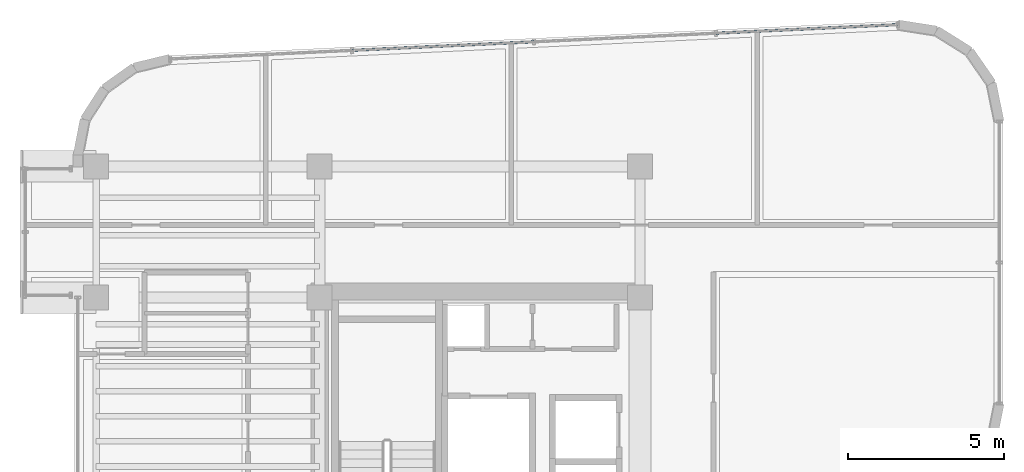
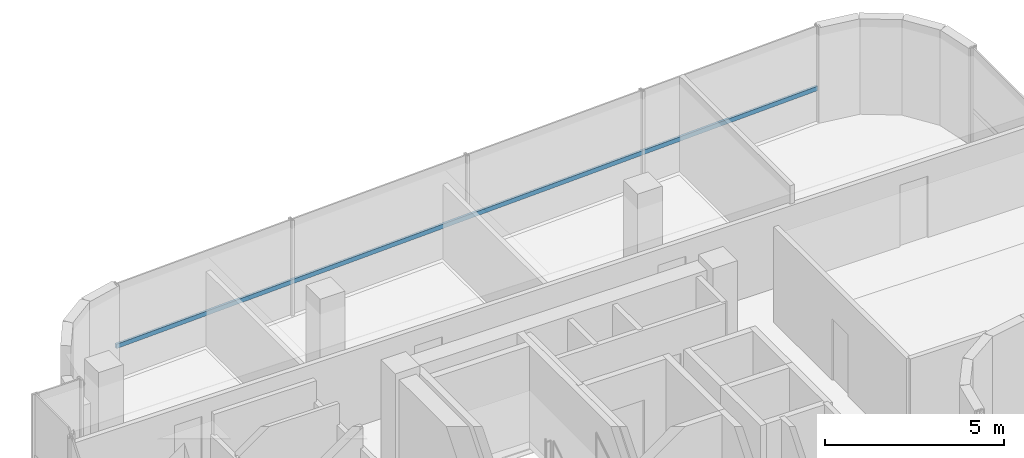
# One storey, part 13 of 21: 1 member, 1 element without a shape of its own.
"""IFC4 building model written with IfcOpenShell, lengths in metres."""

import ifcopenshell
import ifcopenshell.guid

model = None  # the IFC model being written
_history = None  # IfcOwnerHistory: only IFC2X3 demands one
_inside = {}  # id of a spatial element -> (the spatial element, [elements in it])
_under = {}  # id of a project, library or spatial element -> (it, [spatial elements below it])
_declared = {}  # id of a project -> (the project, [libraries it declares])
_typed = {}  # id of a type object -> (the type object, [elements of that type])
_made_of = {}  # id of a material, layer set ... -> (it, [elements and type objects made of it])


def new_model(schema):
    """Start an empty IFC model of exactly this schema.

    Asked for "IFC4X3", IfcOpenShell would pick the latest addendum, in which some entities
    have other attributes; the version numbers below select the first issue.
    IFC2X3 requires an IfcOwnerHistory on every rooted entity: one is made here for all.
    """
    global model, _history
    if schema == "IFC4X3":
        model = ifcopenshell.file(schema_version=(4, 3, 0, 0))
    else:
        model = ifcopenshell.file(schema=schema)
    _inside.clear()
    _under.clear()
    _declared.clear()
    _typed.clear()
    _made_of.clear()
    _history = None
    if model.schema == "IFC2X3":
        org = make("IfcOrganization", Name="unknown")
        user = make(
            "IfcPersonAndOrganization",
            ThePerson=make("IfcPerson", FamilyName="unknown"),
            TheOrganization=org,
        )
        app = make(
            "IfcApplication",
            ApplicationDeveloper=org,
            Version="unknown",
            ApplicationFullName="unknown",
            ApplicationIdentifier="unknown",
        )
        _history = make(
            "IfcOwnerHistory",
            OwningUser=user,
            OwningApplication=app,
            ChangeAction="ADDED",
            CreationDate=0,
        )
    return model


def make(cls, **values):
    """One entity of the class cls with the attributes given. An attribute that is None is left unset."""
    return model.create_entity(
        cls, **{name: value for name, value in values.items() if value is not None}
    )


def rooted(cls, **values):
    """An entity with a GlobalId (a new one), such as an element, a storey or a relation."""
    return make(cls, GlobalId=ifcopenshell.guid.new(), OwnerHistory=_history, **values)


def si_unit(unit_type, name, prefix=None):
    """IfcSIUnit, for example si_unit("LENGTHUNIT", "METRE", prefix="MILLI")."""
    return make("IfcSIUnit", UnitType=unit_type, Prefix=prefix, Name=name)


def assignment(units):
    """IfcUnitAssignment: the units of a project."""
    return None if units is None else make("IfcUnitAssignment", Units=units)


def point(xyz):
    """IfcCartesianPoint."""
    return None if xyz is None else make("IfcCartesianPoint", Coordinates=xyz)


def direction(xyz):
    """IfcDirection."""
    return None if xyz is None else make("IfcDirection", DirectionRatios=xyz)


def frame(location, z_axis=None, x_axis=None):
    """IfcAxis2Placement3D, a coordinate frame: its origin and axes. An axis left out is left unset."""
    return make(
        "IfcAxis2Placement3D",
        Location=point(location),
        Axis=direction(z_axis),
        RefDirection=direction(x_axis),
    )


def frame_2d(location, x_axis=None):
    """IfcAxis2Placement2D, a coordinate frame in the plane: its origin and x axis."""
    return make(
        "IfcAxis2Placement2D", Location=point(location), RefDirection=direction(x_axis)
    )


def origin():
    """The frame at (0, 0, 0) with its axes left unset."""
    return frame((0.0, 0.0, 0.0))


def origin_2d():
    """The frame at (0, 0) in the plane with its x axis left unset."""
    return frame_2d((0.0, 0.0))


def place(relative_to, where):
    """IfcLocalPlacement: puts the frame where relative to a parent placement (None: the world)."""
    return make(
        "IfcLocalPlacement", PlacementRelTo=relative_to, RelativePlacement=where
    )


def context(
    kind, dimensions, precision=None, world=None, true_north=None, identifier=None
):
    """IfcGeometricRepresentationContext, for example the 3D "Model" context."""
    return make(
        "IfcGeometricRepresentationContext",
        ContextIdentifier=identifier,
        ContextType=kind,
        CoordinateSpaceDimension=dimensions,
        Precision=precision,
        WorldCoordinateSystem=world,
        TrueNorth=true_north,
    )


def subcontext(parent, identifier, kind, view, scale=None):
    """IfcGeometricRepresentationSubContext, for example "Body" below "Model"."""
    return make(
        "IfcGeometricRepresentationSubContext",
        ContextIdentifier=identifier,
        ContextType=kind,
        ParentContext=parent,
        TargetScale=scale,
        TargetView=view,
    )


def project(units=None, contexts=None):
    """IfcProject with its units and contexts."""
    return rooted(
        "IfcProject",
        Name="project",
        RepresentationContexts=contexts,
        UnitsInContext=assignment(units),
    )


def spatial(cls, under=None, at=None, **own):
    """A site, building, storey or space (cls), placed at a placement, below another one or the project."""
    s = rooted(cls, ObjectPlacement=at, **own)
    if under is not None:
        _under.setdefault(under.id(), (under, []))[1].append(s)
    return s


def profile(cls, at=None, kind="AREA", **sizes):
    """A parametric profile (cls). Its sizes go by their IFC names, for example OverallWidth=200.0."""
    return make(cls, ProfileType=kind, Position=at, **sizes)


def hollow_rectangle(**sizes):
    """IfcRectangleHollowProfileDef."""
    return profile("IfcRectangleHollowProfileDef", **sizes)


def extrude(swept, where, along, depth):
    """IfcExtrudedAreaSolid: the profile swept, set in the frame where, extruded along a direction by depth."""
    return make(
        "IfcExtrudedAreaSolid",
        SweptArea=swept,
        Position=where,
        ExtrudedDirection=direction(along),
        Depth=depth,
    )


def shape(context_of_items, identifier, shape_type, items):
    """IfcShapeRepresentation: the items that make up one representation, for example the "Body"."""
    return make(
        "IfcShapeRepresentation",
        ContextOfItems=context_of_items,
        RepresentationIdentifier=identifier,
        RepresentationType=shape_type,
        Items=items,
    )


def source(mapping_origin, context_of_items, identifier, shape_type, items):
    """IfcRepresentationMap: a shape defined once, which mapped items show again and again."""
    return make(
        "IfcRepresentationMap",
        MappingOrigin=mapping_origin,
        MappedRepresentation=shape(context_of_items, identifier, shape_type, items),
    )


def transform(
    local_origin,
    x_axis=None,
    y_axis=None,
    z_axis=None,
    scale=None,
    scale2=None,
    scale3=None,
    uniform=True,
):
    """IfcCartesianTransformationOperator3D, or its non-uniform kind. x_axis, y_axis, z_axis: its Axis1, 2, 3."""
    if uniform:
        return make(
            "IfcCartesianTransformationOperator3D",
            Axis1=direction(x_axis),
            Axis2=direction(y_axis),
            LocalOrigin=point(local_origin),
            Scale=scale,
            Axis3=direction(z_axis),
        )
    return make(
        "IfcCartesianTransformationOperator3DnonUniform",
        Axis1=direction(x_axis),
        Axis2=direction(y_axis),
        LocalOrigin=point(local_origin),
        Scale=scale,
        Axis3=direction(z_axis),
        Scale2=scale2,
        Scale3=scale3,
    )


def mapped(mapping_source, mapping_target):
    """IfcMappedItem: shows the shape of a source again, moved by a transform."""
    return make(
        "IfcMappedItem", MappingSource=mapping_source, MappingTarget=mapping_target
    )


def material(Name=None, Category=None):
    """IfcMaterial."""
    return make("IfcMaterial", Name=Name, Category=Category)


def material_profile(
    of_material, cross_section, Name=None, Category=None, Priority=None
):
    """IfcMaterialProfile: a cross section and its material."""
    return make(
        "IfcMaterialProfile",
        Name=Name,
        Material=of_material,
        Profile=cross_section,
        Priority=Priority,
        Category=Category,
    )


def profile_set(profiles, Name=None, composite=None):
    """IfcMaterialProfileSet."""
    return make(
        "IfcMaterialProfileSet",
        Name=Name,
        MaterialProfiles=profiles,
        CompositeProfile=composite,
    )


def made_of(thing, what):
    """Note that an element or type object is made of a material, layer set ...; save() writes the relation."""
    if what is not None:
        _made_of.setdefault(what.id(), (what, []))[1].append(thing)
    return thing


def type_object(cls, material=None, **own):
    """A type object (cls), such as IfcWallType, which elements share."""
    return made_of(rooted(cls, **own), material)


def element(
    cls,
    number,
    at=None,
    inside=None,
    cuts=None,
    type_object=None,
    material=None,
    context=None,
    identifier="Body",
    shape_type=None,
    held_by="IfcProductDefinitionShape",
    body=None,
    shapes=None,
    **own,
):
    """One element of the class cls, such as IfcWall. Its Tag is "e" and its number.

    at: its placement. inside: the storey or other place that contains it. cuts: it is an
    opening in that element (IfcRelVoidsElement). A single representation is given by context,
    identifier, shape_type and body (its items); several are given by shapes. held_by: the class
    of the entity that holds the representations. save() writes the other relations.
    """
    e = rooted(cls, Tag="e%d" % number, ObjectPlacement=at, **own)
    if body is not None:
        shapes = [shape(context, identifier, shape_type, body)]
    if shapes is not None:
        e.Representation = make(held_by, Representations=shapes)
    if inside is not None:
        _inside.setdefault(inside.id(), (inside, []))[1].append(e)
    if cuts is not None:
        rooted(
            "IfcRelVoidsElement", RelatingBuildingElement=cuts, RelatedOpeningElement=e
        )
    if type_object is not None:
        _typed.setdefault(type_object.id(), (type_object, []))[1].append(e)
    return made_of(e, material)


def aggregate(whole, parts):
    """IfcRelAggregates: a whole, such as a stair, and the parts it consists of."""
    return rooted("IfcRelAggregates", RelatingObject=whole, RelatedObjects=parts)


def save(model, path):
    """Write the relations noted so far, then the file.

    IfcRelAggregates (storeys below a building ...), IfcRelContainedInSpatialStructure (elements
    in a storey), IfcRelDefinesByType, IfcRelAssociatesMaterial and IfcRelDeclares: one each for
    every whole, place, type object, material and project.
    """
    for whole, parts in _under.values():
        aggregate(whole, parts)
    for where, things in _inside.values():
        rooted(
            "IfcRelContainedInSpatialStructure",
            RelatedElements=things,
            RelatingStructure=where,
        )
    for kind, things in _typed.values():
        rooted("IfcRelDefinesByType", RelatedObjects=things, RelatingType=kind)
    for what, things in _made_of.values():
        rooted("IfcRelAssociatesMaterial", RelatedObjects=things, RelatingMaterial=what)
    for by, libraries in _declared.values():
        rooted("IfcRelDeclares", RelatingContext=by, RelatedDefinitions=libraries)
    model.write(path)


model = new_model("IFC4")

# Units and contexts
model_context = context("Model", 3, precision=1e-05, world=origin(), true_north=direction((0.0, 1.0)))
body_context = subcontext(model_context, "Body", "Model", "MODEL_VIEW")
ifc_project = project(units=[si_unit("LENGTHUNIT", "METRE"), si_unit("AREAUNIT", "SQUARE_METRE"), si_unit("VOLUMEUNIT", "CUBIC_METRE"), si_unit("PLANEANGLEUNIT", "RADIAN"), si_unit("MASSUNIT", "GRAM", prefix="KILO")], contexts=[model_context])

# Site, building, storey
site_placement = place(None, origin())
site = spatial("IfcSite", under=ifc_project, at=site_placement, CompositionType="ELEMENT")
building_placement = place(site_placement, origin())
building = spatial("IfcBuilding", under=site, at=building_placement, Name="Valdorenza Pilgrim Sanctuary Tower", CompositionType="ELEMENT")
storey_placement = place(building_placement, frame((0.0, 0.0, 254.5)))
storey = spatial("IfcBuildingStorey", under=building, at=storey_placement, Name="L66", CompositionType="ELEMENT", Elevation=254.5)

# Curtain wall, member
ifc_material_1 = material(Name="Curtain-wall IGU glazing", Category="glass")
curtain_wall_type = type_object("IfcCurtainWallType", Name="CW-SYS-02", PredefinedType="NOTDEFINED", material=ifc_material_1)
curtain_wall_placement = place(storey_placement, origin())
curtain_wall = element("IfcCurtainWall", 1, at=curtain_wall_placement, inside=storey, type_object=curtain_wall_type, Name="L66 Curtain Wall CW-L66-1-6", PredefinedType="NOTDEFINED")
ifc_material_2 = material(Name="Anodised aluminium AW-6060", Category="aluminium")
ifc_material_profile = material_profile(ifc_material_2, hollow_rectangle(XDim=0.074951171875, YDim=0.14990234375, WallThickness=0.00390625, at=origin_2d()), Name="ALU-T 150x75x4")
ifc_profile_set = profile_set([ifc_material_profile], Name="Anodised aluminium AW-6060")
member_type = type_object("IfcMemberType", Name="CW-TRN-02", PredefinedType="USERDEFINED", material=ifc_profile_set)
shared_shape = source(origin(), body_context, "Body", "SweptSolid", [
    extrude(hollow_rectangle(XDim=0.074951171875, YDim=0.14990234375, WallThickness=0.00390625, at=origin_2d()), origin(), (0.0, 0.0, 1.0), 23.30419921875),
])
member_placement = place(storey_placement, frame((-27.43505859375, 18.234375, 1.1201171875), z_axis=(0.998890613053, 0.04709079693, 0.0), x_axis=(-0.04709079693, 0.998890613053, 0.0)))
member = element("IfcMember", 2, at=member_placement, type_object=member_type, Name="CW-L66-1-6 Transom 1", ObjectType="TRANSOM", PredefinedType="USERDEFINED", context=body_context, shape_type="MappedRepresentation", body=[
    mapped(shared_shape, transform((0.0, 0.0, 0.0), x_axis=(1.0, 0.0, 0.0), y_axis=(0.0, 1.0, 0.0), z_axis=(0.0, 0.0, 1.0), scale=1.0)),
])
aggregate(curtain_wall, [member])

save(model, "model.ifc")
